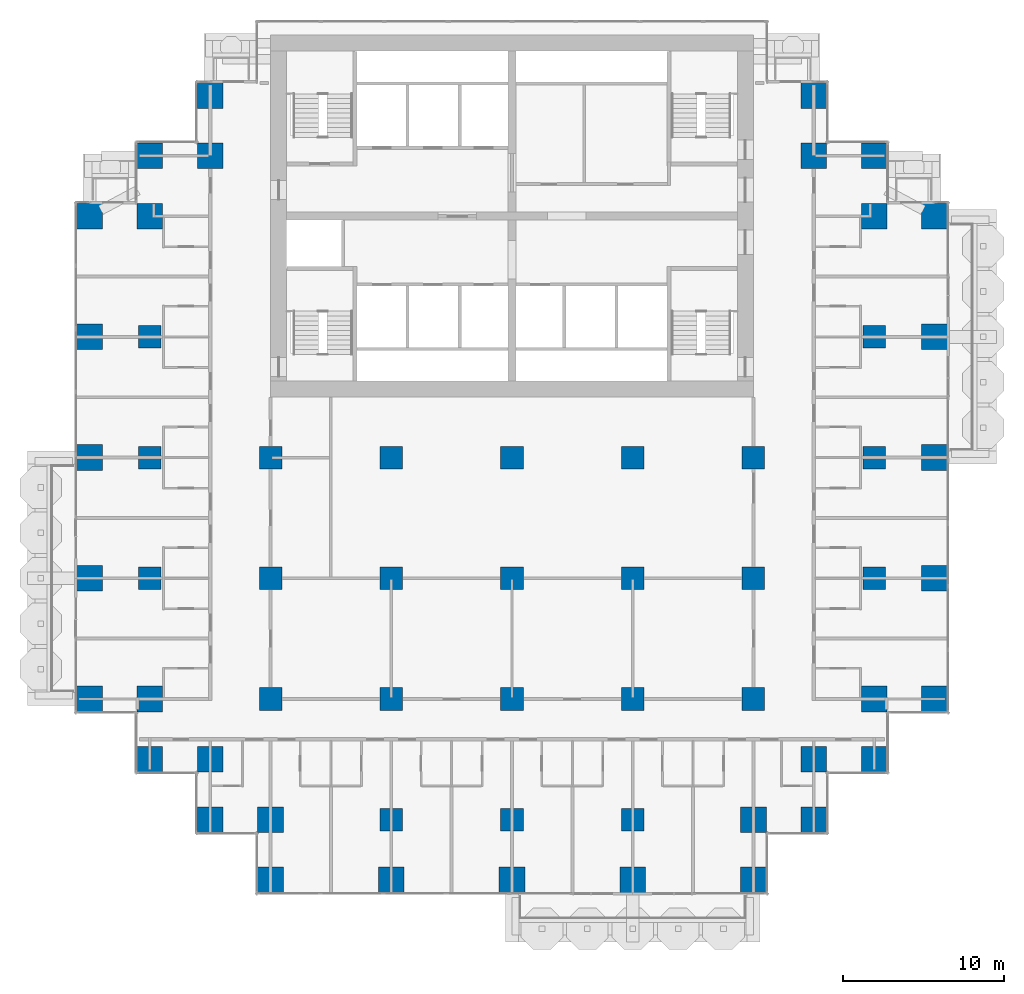
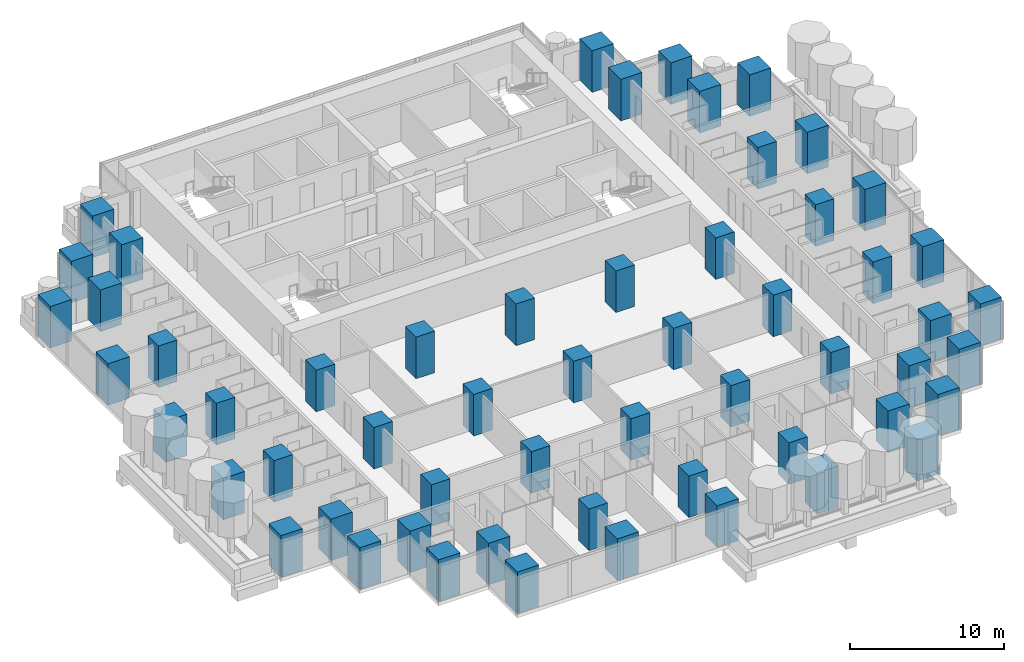
# One storey, part 1 of 19: 57 columns.
"""IFC4 building model written with IfcOpenShell, lengths in metres."""

from ifc_helpers import new_model, si_unit, direction, frame, origin, origin_2d, place, context, subcontext, project, spatial, rectangle, extrude, material, material_profile, profile_set, type_object, element, save


model = new_model("IFC4")

# Units and contexts
model_context = context("Model", 3, precision=1e-05, world=origin(), true_north=direction((0.0, 1.0)))
body_context = subcontext(model_context, "Body", "Model", "MODEL_VIEW")
ifc_project = project(units=[si_unit("LENGTHUNIT", "METRE"), si_unit("AREAUNIT", "SQUARE_METRE"), si_unit("VOLUMEUNIT", "CUBIC_METRE"), si_unit("PLANEANGLEUNIT", "RADIAN"), si_unit("MASSUNIT", "GRAM", prefix="KILO")], contexts=[model_context])

# Site, building, storey
site_placement = place(None, origin())
site = spatial("IfcSite", under=ifc_project, at=site_placement, CompositionType="ELEMENT")
building_placement = place(site_placement, origin())
building = spatial("IfcBuilding", under=site, at=building_placement, Name="Pilkhan Gate Tower", CompositionType="ELEMENT")
storey_placement = place(building_placement, frame((0.0, 0.0, 46.10009765625)))
storey = spatial("IfcBuildingStorey", under=building, at=storey_placement, Name="L08", CompositionType="ELEMENT", Elevation=46.10009765625)

# Columns
ifc_material = material(Name="Concrete C70/85", Category="concrete")
ifc_material_profile_1 = material_profile(ifc_material, rectangle(XDim=1.39990234375, YDim=1.39990234375, at=origin_2d()), Name="RC 1400x1400")
ifc_profile_set_1 = profile_set([ifc_material_profile_1], Name="Concrete C70/85")
column_type_1 = type_object("IfcColumnType", Name="Column C140 RC 1400x1400 C70/85", PredefinedType="COLUMN", material=ifc_profile_set_1)
for number, where, z_axis, x_axis, name in (
    (1, (52.5, 60.0, 0.0), (0.0, 0.0, 1.0), (1.0, 0.0, 0.0), "Column 5/F L08"),
    (2, (52.5, 67.5, 0.0), (0.0, 0.0, 1.0), (1.0, 0.0, 0.0), "Column 5/H L08"),
    (3, (52.5, 75.0, 0.0), (0.0, 0.0, 1.0), (1.0, 0.0, 0.0), "Column 5/K L08"),
    (4, (60.0, 52.5, 0.0), (0.0, 0.0, 1.0), (1.0, 0.0, 0.0), "Column 7/D L08"),
    (5, (60.0, 60.0, 0.0), (0.0, 0.0, 1.0), (1.0, 0.0, 0.0), "Column 7/F L08"),
    (6, (60.0, 67.5, 0.0), (0.0, 0.0, 1.0), (1.0, 0.0, 0.0), "Column 7/H L08"),
    (7, (67.5, 45.0, 0.0), (0.0, 0.0, 1.0), (1.0, 0.0, 0.0), "Column 9/B L08"),
    (8, (67.5, 52.5, 0.0), (0.0, 0.0, 1.0), (1.0, 0.0, 0.0), "Column 9/D L08"),
    (9, (67.5, 60.0, 0.0), (0.0, 0.0, 1.0), (1.0, 0.0, 0.0), "Column 9/F L08"),
    (10, (67.5, 67.5, 0.0), (0.0, 0.0, 1.0), (1.0, 0.0, 0.0), "Column 9/H L08"),
    (11, (75.0, 45.0, 0.0), (0.0, 0.0, 1.0), (1.0, 0.0, 0.0), "Column 11/B L08"),
    (12, (75.0, 52.5, 0.0), (0.0, 0.0, 1.0), (1.0, 0.0, 0.0), "Column 11/D L08"),
    (13, (75.0, 60.0, 0.0), (0.0, 0.0, 1.0), (1.0, 0.0, 0.0), "Column 11/F L08"),
    (14, (75.0, 67.5, 0.0), (0.0, 0.0, 1.0), (1.0, 0.0, 0.0), "Column 11/H L08"),
    (15, (82.5, 45.0, 0.0), (0.0, 0.0, 1.0), (1.0, 0.0, 0.0), "Column 13/B L08"),
    (16, (82.5, 52.5, 0.0), (0.0, 0.0, 1.0), (1.0, 0.0, 0.0), "Column 13/D L08"),
    (17, (82.5, 60.0, 0.0), (0.0, 0.0, 1.0), (1.0, 0.0, 0.0), "Column 13/F L08"),
    (18, (82.5, 67.5, 0.0), (0.0, 0.0, 1.0), (1.0, 0.0, 0.0), "Column 13/H L08"),
    (19, (90.0, 52.5, 0.0), (0.0, 0.0, 1.0), (1.0, 0.0, 0.0), "Column 15/D L08"),
    (20, (90.0, 60.0, 0.0), (0.0, 0.0, 1.0), (1.0, 0.0, 0.0), "Column 15/F L08"),
    (21, (90.0, 67.5, 0.0), (0.0, 0.0, 1.0), (1.0, 0.0, 0.0), "Column 15/H L08"),
    (22, (97.5, 60.0, 0.0), (0.0, 0.0, 1.0), (1.0, 0.0, 0.0), "Column 17/F L08"),
    (23, (97.5, 67.5, 0.0), (0.0, 0.0, 1.0), (1.0, 0.0, 0.0), "Column 17/H L08"),
    (24, (97.5, 75.0, 0.0), (0.0, 0.0, 1.0), (1.0, 0.0, 0.0), "Column 17/K L08"),
):
    element("IfcColumn", number, at=place(storey_placement, frame(where, z_axis=z_axis, x_axis=x_axis)), inside=storey, type_object=column_type_1, Name=name, PredefinedType="COLUMN", context=body_context, shape_type="SweptSolid", body=[
        extrude(rectangle(XDim=1.39990234375, YDim=1.39990234375, at=origin_2d()), origin(), (0.0, 0.0, 1.0), 3.2998046875),
    ])
ifc_material_profile_2 = material_profile(ifc_material, rectangle(XDim=1.60009765625, YDim=1.60009765625, at=origin_2d()), Name="RC 1600x1600")
ifc_profile_set_2 = profile_set([ifc_material_profile_2], Name="Concrete C70/85")
column_type_2 = type_object("IfcColumnType", Name="Column C160 RC 1600x1600 C70/85", PredefinedType="COLUMN", material=ifc_profile_set_2)
for number, where, z_axis, x_axis, name in (
    (25, (48.75, 52.5, 0.0), (0.0, 0.0, 1.0), (1.0, 0.0, 0.0), "Column 4/D L08"),
    (26, (48.75, 60.0, 0.0), (0.0, 0.0, 1.0), (1.0, 0.0, 0.0), "Column 4/F L08"),
    (27, (48.75, 67.5, 0.0), (0.0, 0.0, 1.0), (1.0, 0.0, 0.0), "Column 4/H L08"),
    (28, (48.75, 75.0, 0.0), (0.0, 0.0, 1.0), (1.0, 0.0, 0.0), "Column 4/K L08"),
    (29, (48.75, 82.5, 0.0), (0.0, 0.0, 1.0), (1.0, 0.0, 0.0), "Column 4/M L08"),
    (30, (52.5, 48.75, 0.0), (0.0, 0.0, 1.0), (1.0, 0.0, 0.0), "Column 5/C L08"),
    (31, (52.5, 52.5, 0.0), (0.0, 0.0, 1.0), (1.0, 0.0, 0.0), "Column 5/D L08"),
    (32, (52.5, 82.5, 0.0), (0.0, 0.0, 1.0), (1.0, 0.0, 0.0), "Column 5/M L08"),
    (33, (52.5, 86.25, 0.0), (0.0, 0.0, 1.0), (1.0, 0.0, 0.0), "Column 5/N L08"),
    (34, (56.25, 45.0, 0.0), (0.0, 0.0, 1.0), (1.0, 0.0, 0.0), "Column 6/B L08"),
    (35, (56.25, 48.75, 0.0), (0.0, 0.0, 1.0), (1.0, 0.0, 0.0), "Column 6/C L08"),
    (36, (56.25, 86.25, 0.0), (0.0, 0.0, 1.0), (1.0, 0.0, 0.0), "Column 6/N L08"),
    (37, (56.25, 90.0, 0.0), (0.0, 0.0, 1.0), (1.0, 0.0, 0.0), "Column 6/P L08"),
    (38, (60.0, 41.25, 0.0), (0.0, 0.0, 1.0), (1.0, 0.0, 0.0), "Column 7/A L08"),
    (39, (60.0, 45.0, 0.0), (0.0, 0.0, 1.0), (1.0, 0.0, 0.0), "Column 7/B L08"),
    (40, (67.5, 41.25, 0.0), (0.0, 0.0, 1.0), (1.0, 0.0, 0.0), "Column 9/A L08"),
    (41, (75.0, 41.25, 0.0), (0.0, 0.0, 1.0), (1.0, 0.0, 0.0), "Column 11/A L08"),
    (42, (82.5, 41.25, 0.0), (0.0, 0.0, 1.0), (1.0, 0.0, 0.0), "Column 13/A L08"),
    (43, (90.0, 41.25, 0.0), (0.0, 0.0, 1.0), (1.0, 0.0, 0.0), "Column 15/A L08"),
    (44, (90.0, 45.0, 0.0), (0.0, 0.0, 1.0), (1.0, 0.0, 0.0), "Column 15/B L08"),
    (45, (93.75, 45.0, 0.0), (0.0, 0.0, 1.0), (1.0, 0.0, 0.0), "Column 16/B L08"),
    (46, (93.75, 48.75, 0.0), (0.0, 0.0, 1.0), (1.0, 0.0, 0.0), "Column 16/C L08"),
    (47, (93.75, 86.25, 0.0), (0.0, 0.0, 1.0), (1.0, 0.0, 0.0), "Column 16/N L08"),
    (48, (93.75, 90.0, 0.0), (0.0, 0.0, 1.0), (1.0, 0.0, 0.0), "Column 16/P L08"),
    (49, (97.5, 48.75, 0.0), (0.0, 0.0, 1.0), (1.0, 0.0, 0.0), "Column 17/C L08"),
    (50, (97.5, 52.5, 0.0), (0.0, 0.0, 1.0), (1.0, 0.0, 0.0), "Column 17/D L08"),
    (51, (97.5, 82.5, 0.0), (0.0, 0.0, 1.0), (1.0, 0.0, 0.0), "Column 17/M L08"),
    (52, (97.5, 86.25, 0.0), (0.0, 0.0, 1.0), (1.0, 0.0, 0.0), "Column 17/N L08"),
    (53, (101.25, 52.5, 0.0), (0.0, 0.0, 1.0), (1.0, 0.0, 0.0), "Column 18/D L08"),
    (54, (101.25, 60.0, 0.0), (0.0, 0.0, 1.0), (1.0, 0.0, 0.0), "Column 18/F L08"),
    (55, (101.25, 67.5, 0.0), (0.0, 0.0, 1.0), (1.0, 0.0, 0.0), "Column 18/H L08"),
    (56, (101.25, 75.0, 0.0), (0.0, 0.0, 1.0), (1.0, 0.0, 0.0), "Column 18/K L08"),
    (57, (101.25, 82.5, 0.0), (0.0, 0.0, 1.0), (1.0, 0.0, 0.0), "Column 18/M L08"),
):
    element("IfcColumn", number, at=place(storey_placement, frame(where, z_axis=z_axis, x_axis=x_axis)), inside=storey, type_object=column_type_2, Name=name, PredefinedType="COLUMN", context=body_context, shape_type="SweptSolid", body=[
        extrude(rectangle(XDim=1.60009765625, YDim=1.60009765625, at=origin_2d()), origin(), (0.0, 0.0, 1.0), 3.2998046875),
    ])

save(model, "model.ifc")
